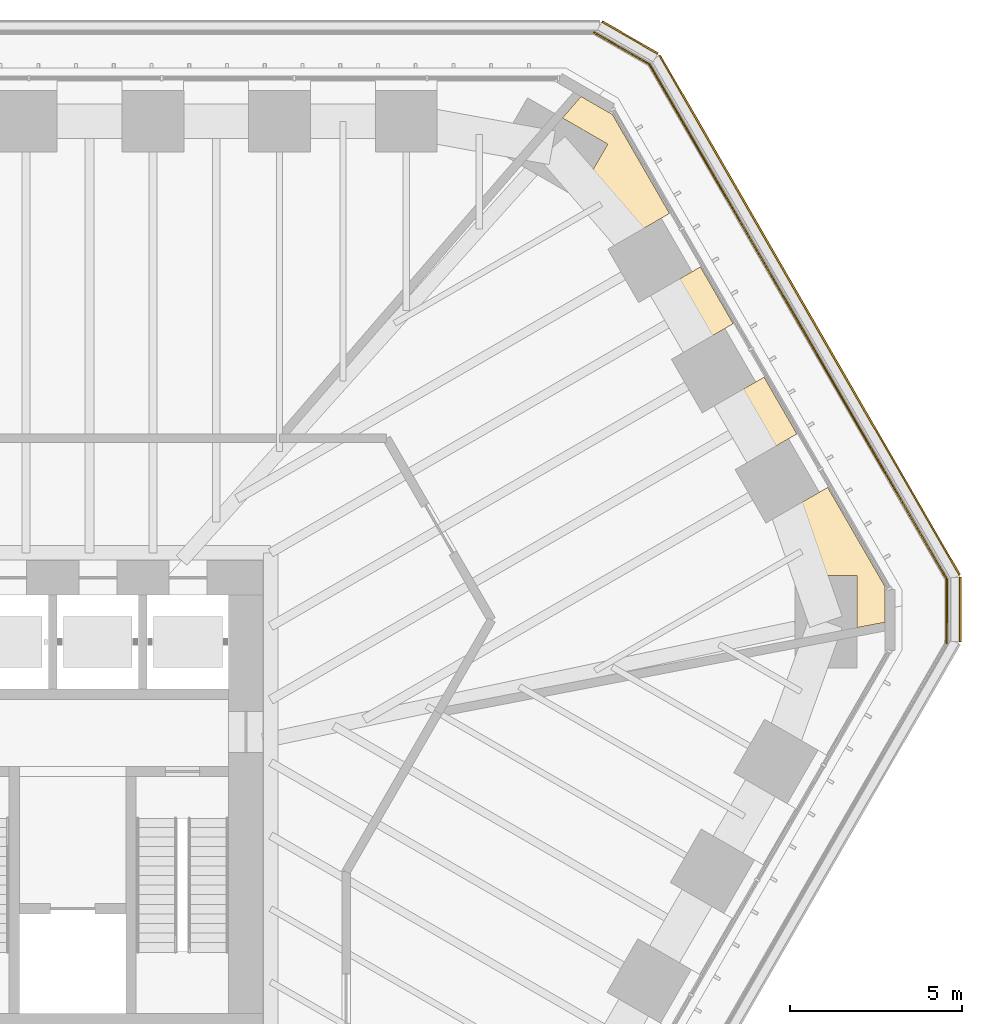
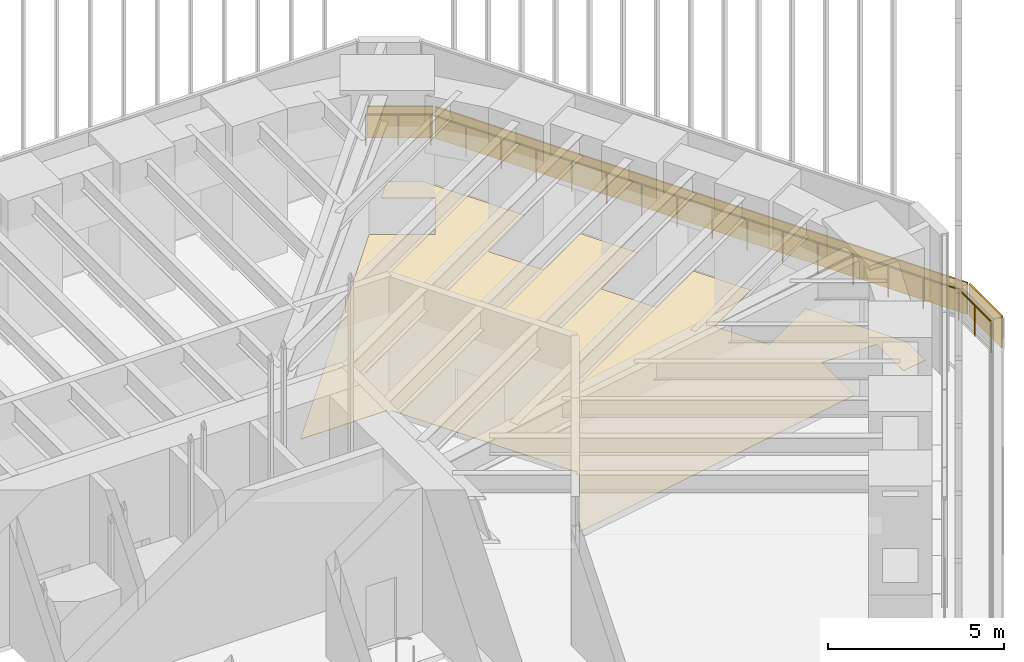
# One storey, part 226 of 228: 4 coverings, 3 railings.
"""IFC4 building model written with IfcOpenShell, lengths in metres."""

from ifc_helpers import new_model, si_unit, direction, frame, frame_2d, origin, origin_2d, place, context, subcontext, project, spatial, polyline, rectangle, circle, outline, extrude, material, layer, layer_set, type_object, element, save


model = new_model("IFC4")

# Units and contexts
model_context = context("Model", 3, precision=1e-05, world=origin(), true_north=direction((0.0, 1.0)))
body_context = subcontext(model_context, "Body", "Model", "MODEL_VIEW")
ifc_project = project(units=[si_unit("LENGTHUNIT", "METRE"), si_unit("AREAUNIT", "SQUARE_METRE"), si_unit("VOLUMEUNIT", "CUBIC_METRE"), si_unit("PLANEANGLEUNIT", "RADIAN"), si_unit("MASSUNIT", "GRAM", prefix="KILO")], contexts=[model_context])

# Site, building, storey
site_placement = place(None, origin())
site = spatial("IfcSite", under=ifc_project, at=site_placement, CompositionType="ELEMENT")
building_placement = place(site_placement, origin())
building = spatial("IfcBuilding", under=site, at=building_placement, Name="Sandreach Pilgrim Tower", CompositionType="ELEMENT")
storey_placement = place(building_placement, frame((0.0, 0.0, 178.199951171875)))
storey = spatial("IfcBuildingStorey", under=building, at=storey_placement, Name="L44", CompositionType="ELEMENT", Elevation=178.199951171875)

# Covering
ifc_material_1 = material(Name="Nylon carpet tile on the slab", Category="textile")
ifc_layer_1 = layer(ifc_material_1, 0.008056640625)
ifc_layer_set_1 = layer_set([ifc_layer_1], Name="Carpet tile")
covering_type_1 = type_object("IfcCoveringType", Name="Carpet tile", PredefinedType="FLOORING", material=ifc_layer_set_1)
covering_1_placement = place(storey_placement, origin())
element("IfcCovering", 1, at=covering_1_placement, inside=storey, type_object=covering_type_1, Name="Floor finish 4402 Sky lounge", PredefinedType="FLOORING", context=body_context, shape_type="SweptSolid", body=[
    extrude(outline(polyline([(12.35009765625, 10.784912109375), (9.50341796875, 10.784912109375), (16.27685546875, 18.611572265625), (17.897216796875, 17.676025390625), (18.797119140625, 19.23486328125), (17.476318359375, 19.99755859375), (18.018310546875, 20.6240234375), (18.93408203125, 20.09521484375), (20.596923828125, 17.21533203125), (18.795654296875, 16.17529296875), (19.695556640625, 14.616455078125), (21.4970703125, 15.656494140625), (22.4521484375, 14.001953125), (20.65087890625, 12.9619140625), (21.55078125, 11.403076171875), (23.35205078125, 12.443115234375), (24.307373046875, 10.78857421875), (22.506103515625, 9.748779296875), (23.406005859375, 8.18994140625), (25.207275390625, 9.229736328125), (26.8701171875, 6.349853515625), (26.8701171875, 5.298828125), (26.056640625, 5.142578125), (26.056640625, 6.661376953125), (24.256591796875, 6.661376953125), (24.256591796875, 4.796630859375), (14.09521484375, 2.844482421875), (15.518310546875, 5.307373046875), (15.409912109375, 5.3701171875), (15.518310546875, 5.4326171875), (12.458251953125, 10.72265625), (12.35009765625, 10.659912109375), (12.35009765625, 10.784912109375)])), origin(), (0.0, 0.0, 1.0), 0.008056640625),
])

# Railings
ifc_material_2 = material(Name="Galvanised steel guardrail", Category="steel")
railing_type = type_object("IfcRailingType", Name="Setback roof guard", PredefinedType="GUARDRAIL", material=ifc_material_2)
railing_1_placement = place(storey_placement, frame((28.672607421875, 4.69384765625, 0.0)))
element("IfcRailing", 2, at=railing_1_placement, inside=storey, type_object=railing_type, Name="Setback maintenance roof guard L44 9", PredefinedType="GUARDRAIL", context=body_context, shape_type="SweptSolid", body=[
    extrude(circle(Radius=0.02392578125, at=origin_2d()), frame((0.0, 0.0, 1.076171875), z_axis=(0.002499992188, 0.999996875015, 0.0), x_axis=(-0.999996875015, 0.002499992188, 0.0)), (0.0, 0.0, 1.0), 1.85546875),
    extrude(circle(Radius=0.02099609375, at=origin_2d()), origin(), (0.0, 0.0, 1.0), 1.052001953125),
    extrude(circle(Radius=0.02099609375, at=origin_2d()), frame((0.00244140625, 0.927734375, 0.0)), (0.0, 0.0, 1.0), 1.052001953125),
    extrude(circle(Radius=0.02099609375, at=origin_2d()), frame((0.004638671875, 1.85546875, 0.0)), (0.0, 0.0, 1.0), 1.052001953125),
])
railing_2_placement = place(storey_placement, frame((28.67724609375, 6.54931640625, 0.0)))
element("IfcRailing", 3, at=railing_2_placement, inside=storey, type_object=railing_type, Name="Setback maintenance roof guard L44 10", PredefinedType="GUARDRAIL", context=body_context, shape_type="SweptSolid", body=[
    extrude(circle(Radius=0.02392578125, at=origin_2d()), frame((0.0, 0.0, 1.076171875), z_axis=(-0.500000436794, 0.866025151601, 0.0), x_axis=(-0.866025151601, -0.500000436794, 0.0)), (0.0, 0.0, 1.0), 17.33349609375),
    extrude(circle(Radius=0.02099609375, at=origin_2d()), origin(), (0.0, 0.0, 1.0), 1.052001953125),
    extrude(circle(Radius=0.02099609375, at=origin_2d()), frame((-0.577880859375, 1.000732421875, 0.0)), (0.0, 0.0, 1.0), 1.052001953125),
    extrude(circle(Radius=0.02099609375, at=origin_2d()), frame((-1.155517578125, 2.00146484375, 0.0)), (0.0, 0.0, 1.0), 1.052001953125),
    extrude(circle(Radius=0.02099609375, at=origin_2d()), frame((-1.7333984375, 3.002197265625, 0.0)), (0.0, 0.0, 1.0), 1.052001953125),
    extrude(circle(Radius=0.02099609375, at=origin_2d()), frame((-2.31103515625, 4.0029296875, 0.0)), (0.0, 0.0, 1.0), 1.052001953125),
    extrude(circle(Radius=0.02099609375, at=origin_2d()), frame((-2.888916015625, 5.003662109375, 0.0)), (0.0, 0.0, 1.0), 1.052001953125),
    extrude(circle(Radius=0.02099609375, at=origin_2d()), frame((-3.466796875, 6.00439453125, 0.0)), (0.0, 0.0, 1.0), 1.052001953125),
    extrude(circle(Radius=0.02099609375, at=origin_2d()), frame((-4.04443359375, 7.005126953125, 0.0)), (0.0, 0.0, 1.0), 1.052001953125),
    extrude(circle(Radius=0.02099609375, at=origin_2d()), frame((-4.622314453125, 8.006103515625, 0.0)), (0.0, 0.0, 1.0), 1.052001953125),
    extrude(circle(Radius=0.02099609375, at=origin_2d()), frame((-5.199951171875, 9.0068359375, 0.0)), (0.0, 0.0, 1.0), 1.052001953125),
    extrude(circle(Radius=0.02099609375, at=origin_2d()), frame((-5.77783203125, 10.007568359375, 0.0)), (0.0, 0.0, 1.0), 1.052001953125),
    extrude(circle(Radius=0.02099609375, at=origin_2d()), frame((-6.355712890625, 11.00830078125, 0.0)), (0.0, 0.0, 1.0), 1.052001953125),
    extrude(circle(Radius=0.02099609375, at=origin_2d()), frame((-6.933349609375, 12.009033203125, 0.0)), (0.0, 0.0, 1.0), 1.052001953125),
    extrude(circle(Radius=0.02099609375, at=origin_2d()), frame((-7.51123046875, 13.009765625, 0.0)), (0.0, 0.0, 1.0), 1.052001953125),
    extrude(circle(Radius=0.02099609375, at=origin_2d()), frame((-8.0888671875, 14.010498046875, 0.0)), (0.0, 0.0, 1.0), 1.052001953125),
    extrude(circle(Radius=0.02099609375, at=origin_2d()), frame((-8.666748046875, 15.01123046875, 0.0)), (0.0, 0.0, 1.0), 1.052001953125),
])
railing_3_placement = place(storey_placement, frame((20.010498046875, 21.560546875, 0.0)))
element("IfcRailing", 4, at=railing_3_placement, inside=storey, type_object=railing_type, Name="Setback maintenance roof guard L44 11", PredefinedType="GUARDRAIL", context=body_context, shape_type="SweptSolid", body=[
    extrude(circle(Radius=0.02392578125, at=origin_2d()), frame((0.0, 0.0, 1.076171875), z_axis=(-0.867326730007, 0.497739232345, 0.0), x_axis=(-0.497739232345, -0.867326730007, 0.0)), (0.0, 0.0, 1.0), 1.85546875),
    extrude(circle(Radius=0.02099609375, at=origin_2d()), origin(), (0.0, 0.0, 1.0), 1.052001953125),
    extrude(circle(Radius=0.02099609375, at=origin_2d()), frame((-0.8046875, 0.4619140625, 0.0)), (0.0, 0.0, 1.0), 1.052001953125),
    extrude(circle(Radius=0.02099609375, at=origin_2d()), frame((-1.609375, 0.923583984375, 0.0)), (0.0, 0.0, 1.0), 1.052001953125),
])

# Coverings
ifc_material_3 = material(Name="Terracotta rainscreen panels on aluminium rails", Category="masonry")
ifc_layer_2 = layer(ifc_material_3, 0.050048828125)
ifc_layer_set_2 = layer_set([ifc_layer_2], Name="Terracotta rainscreen cladding 50")
covering_type_2 = type_object("IfcCoveringType", Name="Terracotta rainscreen cladding 50", PredefinedType="CLADDING", material=ifc_layer_set_2)
covering_2_placement = place(storey_placement, frame((29.0693359375, 4.734130859375, 0.0), z_axis=(0.0, 0.0, 1.0), x_axis=(0.000913479979, 0.999999582777, 0.0)))
element("IfcCovering", 5, at=covering_2_placement, inside=storey, type_object=covering_type_2, Name="Rainscreen cladding on setback parapet l44 9", PredefinedType="CLADDING", context=body_context, shape_type="SweptSolid", body=[
    extrude(rectangle(XDim=1.870849609375, YDim=0.050048828125, at=frame_2d((0.935546875, 0.0))), origin(), (0.0, 0.0, 1.0), 1.10009765625),
])
covering_3_placement = place(storey_placement, frame((29.051025390625, 6.679931640625, 0.0), z_axis=(0.0, 0.0, 1.0), x_axis=(-0.500000912942, 0.866024876697, 0.0)))
element("IfcCovering", 6, at=covering_3_placement, inside=storey, type_object=covering_type_2, Name="Rainscreen cladding on setback parapet l44 10", PredefinedType="CLADDING", context=body_context, shape_type="SweptSolid", body=[
    extrude(rectangle(XDim=17.48095703125, YDim=0.050048828125, at=frame_2d((8.740478515625, 0.0))), origin(), (0.0, 0.0, 1.0), 1.10009765625),
])
covering_4_placement = place(storey_placement, frame((20.255615234375, 21.873779296875, 0.0), z_axis=(0.0, 0.0, 1.0), x_axis=(-0.86651128649, 0.499157480546, 0.0)))
element("IfcCovering", 7, at=covering_4_placement, inside=storey, type_object=covering_type_2, Name="Rainscreen cladding on setback parapet l44 11", PredefinedType="CLADDING", context=body_context, shape_type="SweptSolid", body=[
    extrude(rectangle(XDim=1.870849609375, YDim=0.050048828125, at=frame_2d((0.935546875, 0.0))), origin(), (0.0, 0.0, 1.0), 1.10009765625),
])

save(model, "model.ifc")
